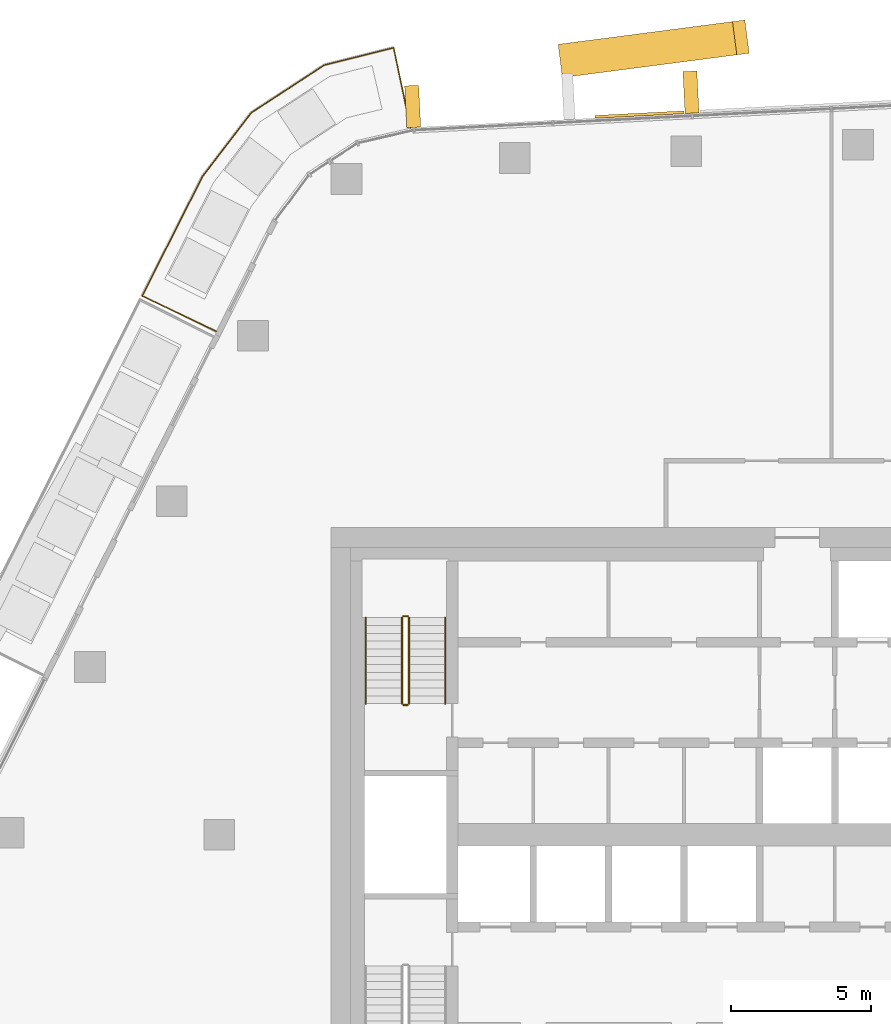
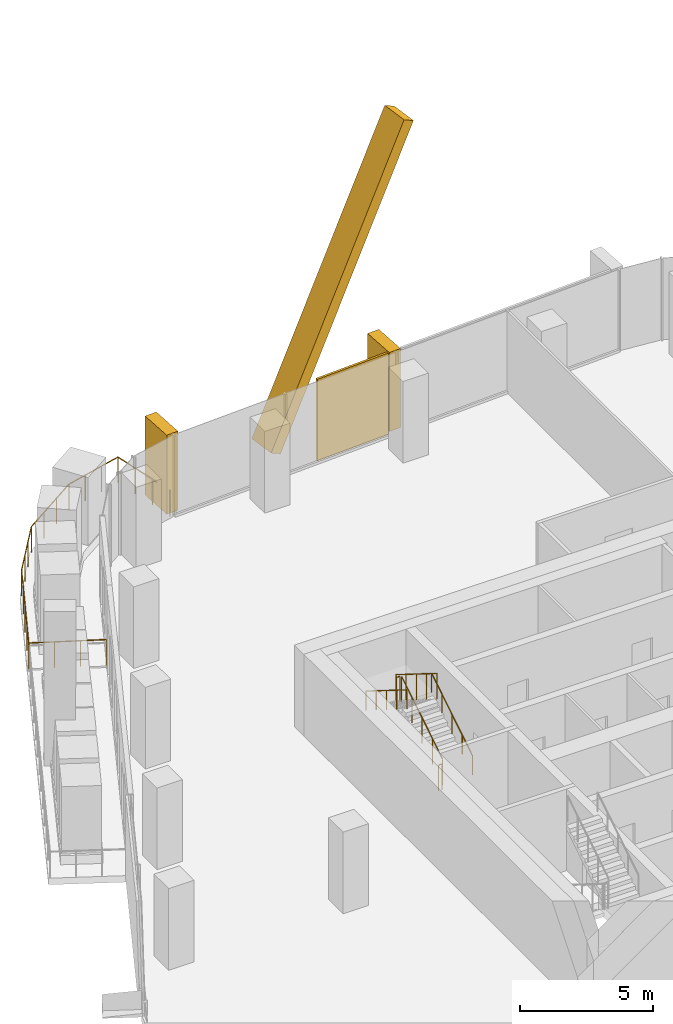
# One storey, part 18 of 20: 7 railings, 4 coverings, 1 element without a shape of its own.
"""IFC4 building model written with IfcOpenShell, lengths in metres."""

from ifc_helpers import new_model, si_unit, direction, frame, origin, origin_2d, place, context, subcontext, project, spatial, rectangle, circle, extrude, material, layer, layer_set, material_profile, profile_set, type_object, element, aggregate, save


model = new_model("IFC4")

# Units and contexts
model_context = context("Model", 3, precision=1e-05, world=origin(), true_north=direction((0.0, 1.0)))
body_context = subcontext(model_context, "Body", "Model", "MODEL_VIEW")
ifc_project = project(units=[si_unit("LENGTHUNIT", "METRE"), si_unit("AREAUNIT", "SQUARE_METRE"), si_unit("VOLUMEUNIT", "CUBIC_METRE"), si_unit("PLANEANGLEUNIT", "RADIAN"), si_unit("MASSUNIT", "GRAM", prefix="KILO")], contexts=[model_context])

# Site, building, storey
site_placement = place(None, origin())
site = spatial("IfcSite", under=ifc_project, at=site_placement, CompositionType="ELEMENT")
building_placement = place(site_placement, origin())
building = spatial("IfcBuilding", under=site, at=building_placement, Name="Dongbaek Canopy Tower", CompositionType="ELEMENT")
storey_placement = place(building_placement, frame((0.0, 0.0, 228.60009765625)))
storey = spatial("IfcBuildingStorey", under=building, at=storey_placement, Name="L47", CompositionType="ELEMENT", Elevation=228.60009765625)

# Railing
ifc_material_1 = material(Name="Stainless steel", Category="steel")
railing_type_1 = type_object("IfcRailingType", Name="Balcony balustrade 1200", PredefinedType="BALUSTRADE", material=ifc_material_1)
railing_1_placement = place(storey_placement, frame((-11.145263671875, 25.31201171875, 0.0)))
element("IfcRailing", 1, at=railing_1_placement, inside=storey, type_object=railing_type_1, Name="Balcony guard L47 4", PredefinedType="BALUSTRADE", context=body_context, shape_type="SweptSolid", body=[
    extrude(circle(Radius=0.02392578125, at=origin_2d()), frame((0.0, 0.0, 1.17578125), z_axis=(-0.204985235917, 0.978765065302, 0.0), x_axis=(-0.978765065302, -0.204985235917, 0.0)), (0.0, 0.0, 1.0), 2.940673828125),
    extrude(circle(Radius=0.02392578125, at=origin_2d()), frame((-0.602783203125, 2.878173828125, 1.17578125), z_axis=(-0.97025452573, -0.242087082058, 0.0), x_axis=(0.242087082058, -0.97025452573, 0.0)), (0.0, 0.0, 1.0), 2.5615234375),
    extrude(circle(Radius=0.02392578125, at=origin_2d()), frame((-3.088134765625, 2.258056640625, 1.17578125), z_axis=(-0.837419378181, -0.546560870394, 0.0), x_axis=(0.546560870394, -0.837419378181, 0.0)), (0.0, 0.0, 1.0), 3.125),
    extrude(circle(Radius=0.02392578125, at=origin_2d()), frame((-5.705078125, 0.550048828125, 1.17578125), z_axis=(-0.607570123847, -0.794266041455, 0.0), x_axis=(0.794266041455, -0.607570123847, 0.0)), (0.0, 0.0, 1.0), 2.869140625),
    extrude(circle(Radius=0.02392578125, at=origin_2d()), frame((-7.4482421875, -1.728759765625, 1.17578125), z_axis=(-0.451035547086, -0.892505986123, 0.0), x_axis=(0.892505986123, -0.451035547086, 0.0)), (0.0, 0.0, 1.0), 4.798583984375),
    extrude(circle(Radius=0.02392578125, at=origin_2d()), frame((-9.612548828125, -6.011474609375, 1.17578125), z_axis=(0.902527241049, -0.430632766013, 0.0), x_axis=(0.430632766013, 0.902527241049, 0.0)), (0.0, 0.0, 1.0), 2.940673828125),
    extrude(circle(Radius=0.02099609375, at=origin_2d()), origin(), (0.0, 0.0, 1.0), 1.15185546875),
    extrude(circle(Radius=0.02099609375, at=origin_2d()), frame((-0.200927734375, 0.95947265625, 0.0)), (0.0, 0.0, 1.0), 1.15185546875),
    extrude(circle(Radius=0.02099609375, at=origin_2d()), frame((-0.40185546875, 1.918701171875, 0.0)), (0.0, 0.0, 1.0), 1.15185546875),
    extrude(circle(Radius=0.02099609375, at=origin_2d()), frame((-0.602783203125, 2.878173828125, 0.0)), (0.0, 0.0, 1.0), 1.15185546875),
    extrude(circle(Radius=0.02099609375, at=origin_2d()), frame((-1.43115234375, 2.67138671875, 0.0)), (0.0, 0.0, 1.0), 1.15185546875),
    extrude(circle(Radius=0.02099609375, at=origin_2d()), frame((-2.259765625, 2.46484375, 0.0)), (0.0, 0.0, 1.0), 1.15185546875),
    extrude(circle(Radius=0.02099609375, at=origin_2d()), frame((-3.088134765625, 2.258056640625, 0.0)), (0.0, 0.0, 1.0), 1.15185546875),
    extrude(circle(Radius=0.02099609375, at=origin_2d()), frame((-3.96044921875, 1.688720703125, 0.0)), (0.0, 0.0, 1.0), 1.15185546875),
    extrude(circle(Radius=0.02099609375, at=origin_2d()), frame((-4.832763671875, 1.119384765625, 0.0)), (0.0, 0.0, 1.0), 1.15185546875),
    extrude(circle(Radius=0.02099609375, at=origin_2d()), frame((-5.705078125, 0.550048828125, 0.0)), (0.0, 0.0, 1.0), 1.15185546875),
    extrude(circle(Radius=0.02099609375, at=origin_2d()), frame((-6.2861328125, -0.20947265625, 0.0)), (0.0, 0.0, 1.0), 1.15185546875),
    extrude(circle(Radius=0.02099609375, at=origin_2d()), frame((-6.8671875, -0.96923828125, 0.0)), (0.0, 0.0, 1.0), 1.15185546875),
    extrude(circle(Radius=0.02099609375, at=origin_2d()), frame((-7.4482421875, -1.728759765625, 0.0)), (0.0, 0.0, 1.0), 1.15185546875),
    extrude(circle(Radius=0.02099609375, at=origin_2d()), frame((-7.9892578125, -2.79931640625, 0.0)), (0.0, 0.0, 1.0), 1.15185546875),
    extrude(circle(Radius=0.02099609375, at=origin_2d()), frame((-8.5302734375, -3.8701171875, 0.0)), (0.0, 0.0, 1.0), 1.15185546875),
    extrude(circle(Radius=0.02099609375, at=origin_2d()), frame((-9.071533203125, -4.94091796875, 0.0)), (0.0, 0.0, 1.0), 1.15185546875),
    extrude(circle(Radius=0.02099609375, at=origin_2d()), frame((-9.612548828125, -6.011474609375, 0.0)), (0.0, 0.0, 1.0), 1.15185546875),
    extrude(circle(Radius=0.02099609375, at=origin_2d()), frame((-8.727783203125, -6.43359375, 0.0)), (0.0, 0.0, 1.0), 1.15185546875),
    extrude(circle(Radius=0.02099609375, at=origin_2d()), frame((-7.84326171875, -6.855712890625, 0.0)), (0.0, 0.0, 1.0), 1.15185546875),
    extrude(circle(Radius=0.02099609375, at=origin_2d()), frame((-6.95849609375, -7.27783203125, 0.0)), (0.0, 0.0, 1.0), 1.15185546875),
])

# Curtain wall, coverings
ifc_material_2 = material(Name="Aluminium 6063-T6 pale anodised", Category="aluminium")
ifc_layer_1 = layer(ifc_material_2, 0.199951171875)
ifc_layer_set_1 = layer_set([ifc_layer_1], Name="CW-1 unitised tower curtain wall")
curtain_wall_type = type_object("IfcCurtainWallType", Name="CW-1 unitised tower curtain wall", PredefinedType="NOTDEFINED", material=ifc_layer_set_1)
curtain_wall_placement = place(storey_placement, origin())
curtain_wall = element("IfcCurtainWall", 2, at=curtain_wall_placement, inside=storey, type_object=curtain_wall_type, Name="CW-1 curtain wall F1.1", PredefinedType="NOTDEFINED")
ifc_material_3 = material(Name="Aluminium 6063-T6 pale metal fin", Category="aluminium")
ifc_material_profile_1 = material_profile(ifc_material_3, rectangle(XDim=1.199951171875, YDim=0.5, at=origin_2d()), Name="Crease fin CF1 500 x 1200 pale metal")
ifc_profile_set_1 = profile_set([ifc_material_profile_1], Name="Aluminium 6063-T6 pale metal fin")
covering_type_1 = type_object("IfcCoveringType", Name="Crease fin CF1 500 x 1200 pale metal", PredefinedType="CLADDING", material=ifc_profile_set_1)
covering_1_placement = place(storey_placement, frame((-5.56103515625, 27.74609375, -0.22509765625), z_axis=(0.442389912586, 0.057689498412, 0.894965411072), x_axis=(-0.129309356158, 0.991604301327, 0.0)))
covering_1 = element("IfcCovering", 3, at=covering_1_placement, type_object=covering_type_1, Name="Crease fin L47 L50 F1", PredefinedType="CLADDING", context=body_context, shape_type="SweptSolid", body=[
    extrude(rectangle(XDim=1.199951171875, YDim=0.5, at=origin_2d()), origin(), (0.0, 0.0, 1.0), 14.117919921875),
])
ifc_material_4 = material(Name="Perforated aluminium 6063-T6 pale metal screen", Category="aluminium")
ifc_layer_2 = layer(ifc_material_4, 0.10009765625)
ifc_layer_set_2 = layer_set([ifc_layer_2], Name="Facet screen FS1 100 pale metal")
covering_type_2 = type_object("IfcCoveringType", Name="Facet screen FS1 100 pale metal", PredefinedType="CLADDING", material=ifc_layer_set_2)
covering_2_placement = place(storey_placement, frame((-2.9462890625, 25.79736328125, 0.0), z_axis=(0.0, 0.0, 1.0), x_axis=(-0.998689873476, -0.051171638795, 0.0)))
covering_2 = element("IfcCovering", 4, at=covering_2_placement, type_object=covering_type_2, Name="Facet screen L47 F1", PredefinedType="CLADDING", context=body_context, shape_type="SweptSolid", body=[
    extrude(rectangle(XDim=3.185302734375, YDim=0.10009765625, at=origin_2d()), origin(), (0.0, 0.0, 1.0), 3.75),
])
ifc_material_5 = material(Name="Aluminium 6063-T6 pale metal fin", Category="aluminium")
ifc_material_profile_2 = material_profile(ifc_material_5, rectangle(XDim=1.5, YDim=0.5, at=origin_2d()), Name="Fin FN1 500 x 1500 pale metal")
ifc_profile_set_2 = profile_set([ifc_material_profile_2], Name="Aluminium 6063-T6 pale metal fin")
covering_type_3 = type_object("IfcCoveringType", Name="Fin FN1 500 x 1500 pale metal", PredefinedType="CLADDING", material=ifc_profile_set_2)
covering_3_placement = place(storey_placement, frame((-1.10205078125, 26.5966796875, 0.119873046875), z_axis=(0.0, 0.0, 1.0), x_axis=(-0.051171421559, 0.998689884607, 0.0)))
covering_3 = element("IfcCovering", 5, at=covering_3_placement, type_object=covering_type_3, Name="Fin F1.1.3", PredefinedType="CLADDING", context=body_context, shape_type="SweptSolid", body=[
    extrude(rectangle(XDim=1.5, YDim=0.5, at=origin_2d()), origin(), (0.0, 0.0, 1.0), 3.630126953125),
])
covering_4_placement = place(storey_placement, frame((-11.067626953125, 26.086181640625, 0.119873046875), z_axis=(0.0, 0.0, 1.0), x_axis=(-0.051171421559, 0.998689884607, 0.0)))
covering_4 = element("IfcCovering", 6, at=covering_4_placement, type_object=covering_type_3, Name="Fin F1.1.5", PredefinedType="CLADDING", context=body_context, shape_type="SweptSolid", body=[
    extrude(rectangle(XDim=1.5, YDim=0.5, at=origin_2d()), origin(), (0.0, 0.0, 1.0), 3.630126953125),
])
aggregate(curtain_wall, [covering_3, covering_4, covering_1, covering_2])

# Railings
ifc_material_6 = material(Name="Stainless steel tube and balusters", Category="steel")
railing_type_2 = type_object("IfcRailingType", Name="Stair guard 1200", PredefinedType="GUARDRAIL", material=ifc_material_6)
railing_2_placement = place(storey_placement, frame((-11.199951171875, 4.699951171875, 0.1748046875)))
element("IfcRailing", 7, at=railing_2_placement, inside=storey, type_object=railing_type_2, Name="L47 ST-C stair guard 1", PredefinedType="GUARDRAIL", context=body_context, shape_type="SweptSolid", body=[
    extrude(circle(Radius=0.02392578125, at=origin_2d()), frame((0.0, 0.0, 1.17578125), z_axis=(0.0, 0.847998304005, 0.529998940003), x_axis=(-1.0, 0.0, 0.0)), (0.0, 0.0, 1.0), 3.632080078125),
    extrude(circle(Radius=0.02099609375, at=origin_2d()), origin(), (0.0, 0.0, 1.0), 1.15185546875),
    extrude(circle(Radius=0.02099609375, at=origin_2d()), frame((0.0, 0.77001953125, 0.481201171875)), (0.0, 0.0, 1.0), 1.15185546875),
    extrude(circle(Radius=0.02099609375, at=origin_2d()), frame((0.0, 1.5400390625, 0.96240234375)), (0.0, 0.0, 1.0), 1.15185546875),
    extrude(circle(Radius=0.02099609375, at=origin_2d()), frame((0.0, 2.31005859375, 1.44384765625)), (0.0, 0.0, 1.0), 1.15185546875),
    extrude(circle(Radius=0.02099609375, at=origin_2d()), frame((0.0, 3.080078125, 1.925048828125)), (0.0, 0.0, 1.0), 1.15185546875),
])
railing_3_placement = place(storey_placement, frame((-11.25, 7.830078125, 2.099853515625)))
element("IfcRailing", 8, at=railing_3_placement, inside=storey, type_object=railing_type_2, Name="L47 ST-C stair guard 2", PredefinedType="GUARDRAIL", context=body_context, shape_type="SweptSolid", body=[
    extrude(circle(Radius=0.02392578125, at=origin_2d()), frame((0.0, 0.0, 1.17578125), z_axis=(-1.0, 0.0, 0.0), x_axis=(0.0, -1.0, 0.0)), (0.0, 0.0, 1.0), 0.14990234375),
    extrude(circle(Radius=0.02099609375, at=origin_2d()), origin(), (0.0, 0.0, 1.0), 1.15185546875),
    extrude(circle(Radius=0.02099609375, at=origin_2d()), frame((-0.14990234375, 0.0, 0.0)), (0.0, 0.0, 1.0), 1.15185546875),
])
railing_4_placement = place(storey_placement, frame((-11.449951171875, 7.780029296875, 2.27490234375)))
element("IfcRailing", 9, at=railing_4_placement, inside=storey, type_object=railing_type_2, Name="L47 ST-C stair guard 3", PredefinedType="GUARDRAIL", context=body_context, shape_type="SweptSolid", body=[
    extrude(circle(Radius=0.02392578125, at=origin_2d()), frame((0.0, 0.0, 1.17578125), z_axis=(0.0, -0.847998304005, 0.529998940003), x_axis=(1.0, 0.0, 0.0)), (0.0, 0.0, 1.0), 3.632080078125),
    extrude(circle(Radius=0.02099609375, at=origin_2d()), origin(), (0.0, 0.0, 1.0), 1.15185546875),
    extrude(circle(Radius=0.02099609375, at=origin_2d()), frame((0.0, -0.77001953125, 0.481201171875)), (0.0, 0.0, 1.0), 1.15185546875),
    extrude(circle(Radius=0.02099609375, at=origin_2d()), frame((0.0, -1.5400390625, 0.96240234375)), (0.0, 0.0, 1.0), 1.15185546875),
    extrude(circle(Radius=0.02099609375, at=origin_2d()), frame((0.0, -2.31005859375, 1.44384765625)), (0.0, 0.0, 1.0), 1.15185546875),
    extrude(circle(Radius=0.02099609375, at=origin_2d()), frame((0.0, -3.080078125, 1.925048828125)), (0.0, 0.0, 1.0), 1.15185546875),
])
railing_5_placement = place(storey_placement, frame((-11.25, 4.64990234375, 0.0)))
element("IfcRailing", 10, at=railing_5_placement, inside=storey, type_object=railing_type_2, Name="L47 ST-C stair guard 4", PredefinedType="GUARDRAIL", context=body_context, shape_type="SweptSolid", body=[
    extrude(circle(Radius=0.02392578125, at=origin_2d()), frame((0.0, 0.0, 1.17578125), z_axis=(-1.0, 0.0, 0.0), x_axis=(0.0, -1.0, 0.0)), (0.0, 0.0, 1.0), 0.14990234375),
    extrude(circle(Radius=0.02099609375, at=origin_2d()), origin(), (0.0, 0.0, 1.0), 1.15185546875),
    extrude(circle(Radius=0.02099609375, at=origin_2d()), frame((-0.14990234375, 0.0, 0.0)), (0.0, 0.0, 1.0), 1.15185546875),
])
ifc_material_7 = material(Name="Stainless steel tube", Category="steel")
railing_type_3 = type_object("IfcRailingType", Name="Stair handrail 900", PredefinedType="HANDRAIL", material=ifc_material_7)
railing_6_placement = place(storey_placement, frame((-9.89990234375, 4.699951171875, 0.1748046875)))
element("IfcRailing", 11, at=railing_6_placement, inside=storey, type_object=railing_type_3, Name="L47 ST-C stair handrail 1", PredefinedType="HANDRAIL", context=body_context, shape_type="SweptSolid", body=[
    extrude(circle(Radius=0.02392578125, at=origin_2d()), frame((0.0, 0.0, 0.8759765625), z_axis=(0.0, 0.847998304005, 0.529998940003), x_axis=(-1.0, 0.0, 0.0)), (0.0, 0.0, 1.0), 3.632080078125),
    extrude(circle(Radius=0.02099609375, at=origin_2d()), origin(), (0.0, 0.0, 1.0), 0.851806640625),
    extrude(circle(Radius=0.02099609375, at=origin_2d()), frame((0.0, 0.77001953125, 0.481201171875)), (0.0, 0.0, 1.0), 0.851806640625),
    extrude(circle(Radius=0.02099609375, at=origin_2d()), frame((0.0, 1.5400390625, 0.96240234375)), (0.0, 0.0, 1.0), 0.851806640625),
    extrude(circle(Radius=0.02099609375, at=origin_2d()), frame((0.0, 2.31005859375, 1.44384765625)), (0.0, 0.0, 1.0), 0.851806640625),
    extrude(circle(Radius=0.02099609375, at=origin_2d()), frame((0.0, 3.080078125, 1.925048828125)), (0.0, 0.0, 1.0), 0.851806640625),
])
railing_7_placement = place(storey_placement, frame((-12.75, 7.780029296875, 2.27490234375)))
element("IfcRailing", 12, at=railing_7_placement, inside=storey, type_object=railing_type_3, Name="L47 ST-C stair handrail 2", PredefinedType="HANDRAIL", context=body_context, shape_type="SweptSolid", body=[
    extrude(circle(Radius=0.02392578125, at=origin_2d()), frame((0.0, 0.0, 0.8759765625), z_axis=(0.0, -0.847998304005, 0.529998940003), x_axis=(1.0, 0.0, 0.0)), (0.0, 0.0, 1.0), 3.632080078125),
    extrude(circle(Radius=0.02099609375, at=origin_2d()), origin(), (0.0, 0.0, 1.0), 0.851806640625),
    extrude(circle(Radius=0.02099609375, at=origin_2d()), frame((0.0, -0.77001953125, 0.481201171875)), (0.0, 0.0, 1.0), 0.851806640625),
    extrude(circle(Radius=0.02099609375, at=origin_2d()), frame((0.0, -1.5400390625, 0.96240234375)), (0.0, 0.0, 1.0), 0.851806640625),
    extrude(circle(Radius=0.02099609375, at=origin_2d()), frame((0.0, -2.31005859375, 1.44384765625)), (0.0, 0.0, 1.0), 0.851806640625),
    extrude(circle(Radius=0.02099609375, at=origin_2d()), frame((0.0, -3.080078125, 1.925048828125)), (0.0, 0.0, 1.0), 0.851806640625),
])

save(model, "model.ifc")
